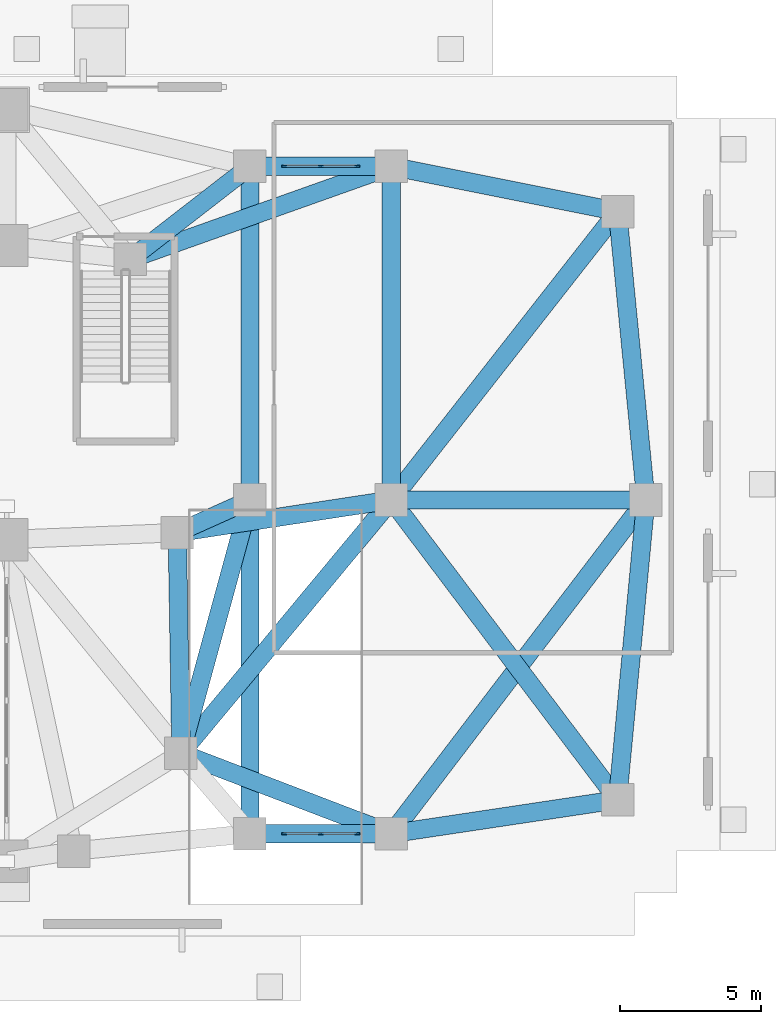
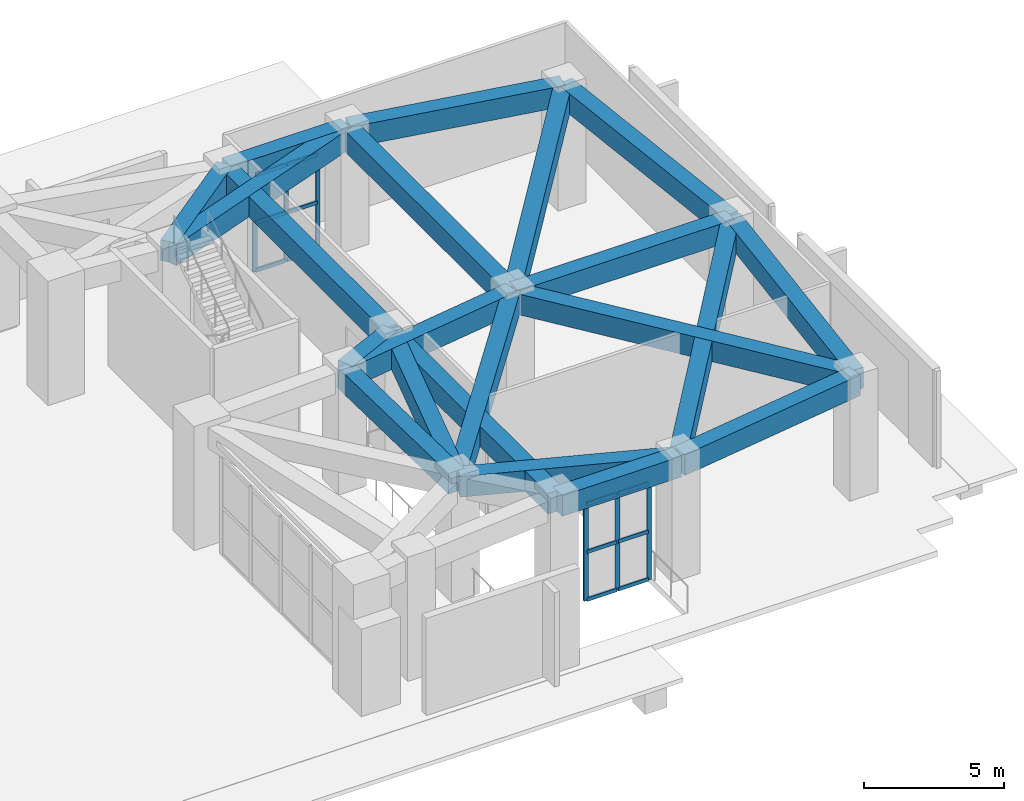
# One storey, part 4 of 19: 21 beams, 18 members, 2 elements without a shape of their own.
"""IFC4 building model written with IfcOpenShell, lengths in metres."""

from ifc_helpers import new_model, si_unit, direction, frame, origin, origin_2d, place, context, subcontext, project, spatial, rectangle, extrude, material, material_profile, profile_set, type_object, element, aggregate, save


model = new_model("IFC4")

# Units and contexts
model_context = context("Model", 3, precision=1e-05, world=origin(), true_north=direction((0.0, 1.0)))
body_context = subcontext(model_context, "Body", "Model", "MODEL_VIEW")
ifc_project = project(units=[si_unit("LENGTHUNIT", "METRE"), si_unit("AREAUNIT", "SQUARE_METRE"), si_unit("VOLUMEUNIT", "CUBIC_METRE"), si_unit("PLANEANGLEUNIT", "RADIAN"), si_unit("MASSUNIT", "GRAM", prefix="KILO")], contexts=[model_context])

# Site, building, storey
site_placement = place(None, origin())
site = spatial("IfcSite", under=ifc_project, at=site_placement, CompositionType="ELEMENT")
building_placement = place(site_placement, origin())
building = spatial("IfcBuilding", under=site, at=building_placement, Name="Gaonmaruhae Medical Tower", CompositionType="ELEMENT")
storey_placement = place(building_placement, origin())
storey = spatial("IfcBuildingStorey", under=building, at=storey_placement, Name="L00", CompositionType="ELEMENT", Elevation=0.0)

# Curtain wall, members
ifc_material_1 = material(Name="Anodised aluminium and Low-E double glazing", Category="aluminium")
curtain_wall_type = type_object("IfcCurtainWallType", Name="CW-S6 Podium Diagnostic Atrium Curtain Wall", PredefinedType="NOTDEFINED", material=ifc_material_1)
curtain_wall_1_placement = place(storey_placement, origin())
curtain_wall_1 = element("IfcCurtainWall", 1, at=curtain_wall_1_placement, inside=storey, type_object=curtain_wall_type, Name="L00 Curtain Wall CW-L00-S6A", PredefinedType="NOTDEFINED")
ifc_material_2 = material(Name="Anodised aluminium 6063-T6", Category="aluminium")
ifc_material_profile_1 = material_profile(ifc_material_2, rectangle(XDim=0.06494140625, YDim=0.179931640625, at=origin_2d()), Name="CWM-65x180")
ifc_profile_set_1 = profile_set([ifc_material_profile_1], Name="Anodised aluminium 6063-T6")
member_type_1 = type_object("IfcMemberType", Name="CWM-2 Tower Feature Curtain Wall Mullion (CWM-65x180)", PredefinedType="MULLION", material=ifc_profile_set_1)
member_1_placement = place(storey_placement, frame((67.40576171875, 27.199951171875, 0.0), z_axis=(0.0, 0.0, 1.0), x_axis=(0.0, 1.0, 0.0)))
member_1 = element("IfcMember", 2, at=member_1_placement, type_object=member_type_1, Name="CW-S6 mullion 1", PredefinedType="MULLION", context=body_context, shape_type="SweptSolid", body=[
    extrude(rectangle(XDim=0.06494140625, YDim=0.179931640625, at=origin_2d()), origin(), (0.0, 0.0, 1.0), 4.22998046875),
])
member_2_placement = place(storey_placement, frame((68.699951171875, 27.199951171875, 0.0), z_axis=(0.0, 0.0, 1.0), x_axis=(0.0, 1.0, 0.0)))
member_2 = element("IfcMember", 3, at=member_2_placement, type_object=member_type_1, Name="CW-S6 mullion 2", PredefinedType="MULLION", context=body_context, shape_type="SweptSolid", body=[
    extrude(rectangle(XDim=0.06494140625, YDim=0.179931640625, at=origin_2d()), origin(), (0.0, 0.0, 1.0), 4.22998046875),
])
member_3_placement = place(storey_placement, frame((69.994384765625, 27.199951171875, 0.0), z_axis=(0.0, 0.0, 1.0), x_axis=(0.0, 1.0, 0.0)))
member_3 = element("IfcMember", 4, at=member_3_placement, type_object=member_type_1, Name="CW-S6 mullion 3", PredefinedType="MULLION", context=body_context, shape_type="SweptSolid", body=[
    extrude(rectangle(XDim=0.06494140625, YDim=0.179931640625, at=origin_2d()), origin(), (0.0, 0.0, 1.0), 4.22998046875),
])

curtain_wall_2_placement = place(storey_placement, origin())
curtain_wall_2 = element("IfcCurtainWall", 5, at=curtain_wall_2_placement, inside=storey, type_object=curtain_wall_type, Name="L00 Curtain Wall CW-L00-S6B", PredefinedType="NOTDEFINED")
member_4_placement = place(storey_placement, frame((67.40576171875, 3.60009765625, 0.0), z_axis=(0.0, 0.0, 1.0), x_axis=(0.0, 1.0, 0.0)))
member_4 = element("IfcMember", 6, at=member_4_placement, type_object=member_type_1, Name="CW-S6 mullion 1", PredefinedType="MULLION", context=body_context, shape_type="SweptSolid", body=[
    extrude(rectangle(XDim=0.06494140625, YDim=0.179931640625, at=origin_2d()), origin(), (0.0, 0.0, 1.0), 4.22998046875),
])
member_5_placement = place(storey_placement, frame((68.699951171875, 3.60009765625, 0.0), z_axis=(0.0, 0.0, 1.0), x_axis=(0.0, 1.0, 0.0)))
member_5 = element("IfcMember", 7, at=member_5_placement, type_object=member_type_1, Name="CW-S6 mullion 2", PredefinedType="MULLION", context=body_context, shape_type="SweptSolid", body=[
    extrude(rectangle(XDim=0.06494140625, YDim=0.179931640625, at=origin_2d()), origin(), (0.0, 0.0, 1.0), 4.22998046875),
])
member_6_placement = place(storey_placement, frame((69.994384765625, 3.60009765625, 0.0), z_axis=(0.0, 0.0, 1.0), x_axis=(0.0, 1.0, 0.0)))
member_6 = element("IfcMember", 8, at=member_6_placement, type_object=member_type_1, Name="CW-S6 mullion 3", PredefinedType="MULLION", context=body_context, shape_type="SweptSolid", body=[
    extrude(rectangle(XDim=0.06494140625, YDim=0.179931640625, at=origin_2d()), origin(), (0.0, 0.0, 1.0), 4.22998046875),
])

# Member
ifc_material_profile_2 = material_profile(ifc_material_2, rectangle(XDim=0.074951171875, YDim=0.159912109375, at=origin_2d()), Name="CWT-75x160")
ifc_profile_set_2 = profile_set([ifc_material_profile_2], Name="Anodised aluminium 6063-T6")
member_type_2 = type_object("IfcMemberType", Name="CWT-1 Heavy Atrium Curtain Wall Transom (CWT-75x160)", PredefinedType="USERDEFINED", material=ifc_profile_set_2)
member_7_placement = place(storey_placement, frame((67.438232421875, 27.199951171875, 0.03759765625), z_axis=(1.0, 0.0, 0.0), x_axis=(0.0, 1.0, 0.0)))
member_7 = element("IfcMember", 9, at=member_7_placement, type_object=member_type_2, Name="CW-S6 transom 1.1", ObjectType="TRANSOM", PredefinedType="USERDEFINED", context=body_context, shape_type="SweptSolid", body=[
    extrude(rectangle(XDim=0.074951171875, YDim=0.159912109375, at=origin_2d()), origin(), (0.0, 0.0, 1.0), 1.229248046875),
])

member_8_placement = place(storey_placement, frame((67.438232421875, 27.199951171875, 2.114990234375), z_axis=(1.0, 0.0, 0.0), x_axis=(0.0, 1.0, 0.0)))
member_8 = element("IfcMember", 10, at=member_8_placement, type_object=member_type_2, Name="CW-S6 transom 1.2", ObjectType="TRANSOM", PredefinedType="USERDEFINED", context=body_context, shape_type="SweptSolid", body=[
    extrude(rectangle(XDim=0.074951171875, YDim=0.159912109375, at=origin_2d()), origin(), (0.0, 0.0, 1.0), 1.229248046875),
])

member_9_placement = place(storey_placement, frame((67.438232421875, 27.199951171875, 4.1923828125), z_axis=(1.0, 0.0, 0.0), x_axis=(0.0, 1.0, 0.0)))
member_9 = element("IfcMember", 11, at=member_9_placement, type_object=member_type_2, Name="CW-S6 transom 1.3", ObjectType="TRANSOM", PredefinedType="USERDEFINED", context=body_context, shape_type="SweptSolid", body=[
    extrude(rectangle(XDim=0.074951171875, YDim=0.159912109375, at=origin_2d()), origin(), (0.0, 0.0, 1.0), 1.229248046875),
])

member_10_placement = place(storey_placement, frame((68.732421875, 27.199951171875, 0.03759765625), z_axis=(1.0, 0.0, 0.0), x_axis=(0.0, 1.0, 0.0)))
member_10 = element("IfcMember", 12, at=member_10_placement, type_object=member_type_2, Name="CW-S6 transom 2.1", ObjectType="TRANSOM", PredefinedType="USERDEFINED", context=body_context, shape_type="SweptSolid", body=[
    extrude(rectangle(XDim=0.074951171875, YDim=0.159912109375, at=origin_2d()), origin(), (0.0, 0.0, 1.0), 1.2294921875),
])

member_11_placement = place(storey_placement, frame((68.732421875, 27.199951171875, 2.114990234375), z_axis=(1.0, 0.0, 0.0), x_axis=(0.0, 1.0, 0.0)))
member_11 = element("IfcMember", 13, at=member_11_placement, type_object=member_type_2, Name="CW-S6 transom 2.2", ObjectType="TRANSOM", PredefinedType="USERDEFINED", context=body_context, shape_type="SweptSolid", body=[
    extrude(rectangle(XDim=0.074951171875, YDim=0.159912109375, at=origin_2d()), origin(), (0.0, 0.0, 1.0), 1.2294921875),
])

member_12_placement = place(storey_placement, frame((68.732421875, 27.199951171875, 4.1923828125), z_axis=(1.0, 0.0, 0.0), x_axis=(0.0, 1.0, 0.0)))
member_12 = element("IfcMember", 14, at=member_12_placement, type_object=member_type_2, Name="CW-S6 transom 2.3", ObjectType="TRANSOM", PredefinedType="USERDEFINED", context=body_context, shape_type="SweptSolid", body=[
    extrude(rectangle(XDim=0.074951171875, YDim=0.159912109375, at=origin_2d()), origin(), (0.0, 0.0, 1.0), 1.2294921875),
])

aggregate(curtain_wall_1, [member_1, member_2, member_3, member_7, member_8, member_9, member_10, member_11, member_12])

member_13_placement = place(storey_placement, frame((67.438232421875, 3.60009765625, 0.03759765625), z_axis=(1.0, 0.0, 0.0), x_axis=(0.0, 1.0, 0.0)))
member_13 = element("IfcMember", 15, at=member_13_placement, type_object=member_type_2, Name="CW-S6 transom 1.1", ObjectType="TRANSOM", PredefinedType="USERDEFINED", context=body_context, shape_type="SweptSolid", body=[
    extrude(rectangle(XDim=0.074951171875, YDim=0.159912109375, at=origin_2d()), origin(), (0.0, 0.0, 1.0), 1.229248046875),
])

member_14_placement = place(storey_placement, frame((67.438232421875, 3.60009765625, 2.114990234375), z_axis=(1.0, 0.0, 0.0), x_axis=(0.0, 1.0, 0.0)))
member_14 = element("IfcMember", 16, at=member_14_placement, type_object=member_type_2, Name="CW-S6 transom 1.2", ObjectType="TRANSOM", PredefinedType="USERDEFINED", context=body_context, shape_type="SweptSolid", body=[
    extrude(rectangle(XDim=0.074951171875, YDim=0.159912109375, at=origin_2d()), origin(), (0.0, 0.0, 1.0), 1.229248046875),
])

member_15_placement = place(storey_placement, frame((67.438232421875, 3.60009765625, 4.1923828125), z_axis=(1.0, 0.0, 0.0), x_axis=(0.0, 1.0, 0.0)))
member_15 = element("IfcMember", 17, at=member_15_placement, type_object=member_type_2, Name="CW-S6 transom 1.3", ObjectType="TRANSOM", PredefinedType="USERDEFINED", context=body_context, shape_type="SweptSolid", body=[
    extrude(rectangle(XDim=0.074951171875, YDim=0.159912109375, at=origin_2d()), origin(), (0.0, 0.0, 1.0), 1.229248046875),
])

member_16_placement = place(storey_placement, frame((68.732421875, 3.60009765625, 0.03759765625), z_axis=(1.0, 0.0, 0.0), x_axis=(0.0, 1.0, 0.0)))
member_16 = element("IfcMember", 18, at=member_16_placement, type_object=member_type_2, Name="CW-S6 transom 2.1", ObjectType="TRANSOM", PredefinedType="USERDEFINED", context=body_context, shape_type="SweptSolid", body=[
    extrude(rectangle(XDim=0.074951171875, YDim=0.159912109375, at=origin_2d()), origin(), (0.0, 0.0, 1.0), 1.2294921875),
])

member_17_placement = place(storey_placement, frame((68.732421875, 3.60009765625, 2.114990234375), z_axis=(1.0, 0.0, 0.0), x_axis=(0.0, 1.0, 0.0)))
member_17 = element("IfcMember", 19, at=member_17_placement, type_object=member_type_2, Name="CW-S6 transom 2.2", ObjectType="TRANSOM", PredefinedType="USERDEFINED", context=body_context, shape_type="SweptSolid", body=[
    extrude(rectangle(XDim=0.074951171875, YDim=0.159912109375, at=origin_2d()), origin(), (0.0, 0.0, 1.0), 1.2294921875),
])

member_18_placement = place(storey_placement, frame((68.732421875, 3.60009765625, 4.1923828125), z_axis=(1.0, 0.0, 0.0), x_axis=(0.0, 1.0, 0.0)))
member_18 = element("IfcMember", 20, at=member_18_placement, type_object=member_type_2, Name="CW-S6 transom 2.3", ObjectType="TRANSOM", PredefinedType="USERDEFINED", context=body_context, shape_type="SweptSolid", body=[
    extrude(rectangle(XDim=0.074951171875, YDim=0.159912109375, at=origin_2d()), origin(), (0.0, 0.0, 1.0), 1.2294921875),
])

aggregate(curtain_wall_2, [member_4, member_5, member_6, member_13, member_14, member_15, member_16, member_17, member_18])

# Beams
ifc_material_3 = material(Name="Concrete C50/60", Category="concrete")
ifc_material_profile_3 = material_profile(ifc_material_3, rectangle(XDim=0.64990234375, YDim=0.89990234375, at=origin_2d()), Name="RCG-650x900")
ifc_profile_set_3 = profile_set([ifc_material_profile_3], Name="Concrete C50/60")
beam_type = type_object("IfcBeamType", Name="RG-01 Podium Primary RC Girder (RCG-650x900)", PredefinedType="BEAM", material=ifc_profile_set_3)
beam_1_placement = place(storey_placement, frame((63.757568359375, 6.49755859375, 4.699951171875), z_axis=(-0.016582992443, 0.999862492727, 0.0), x_axis=(-0.999862492727, -0.016582992443, 0.0)))
element("IfcBeam", 21, at=beam_1_placement, inside=storey, type_object=beam_type, Name="L00 Beam BM-L00-PG026", PredefinedType="BEAM", context=body_context, shape_type="SweptSolid", body=[
    extrude(rectangle(XDim=0.64990234375, YDim=0.89990234375, at=origin_2d()), origin(), (0.0, 0.0, 1.0), 7.69970703125),
])
beam_2_placement = place(storey_placement, frame((63.6748046875, 14.266845703125, 4.699951171875), z_axis=(0.912331175538, 0.409453081735, 0.0), x_axis=(-0.409453081735, 0.912331175538, 0.0)))
element("IfcBeam", 22, at=beam_2_placement, inside=storey, type_object=beam_type, Name="L00 Beam BM-L00-PG027", PredefinedType="BEAM", context=body_context, shape_type="SweptSolid", body=[
    extrude(rectangle(XDim=0.64990234375, YDim=0.89990234375, at=origin_2d()), origin(), (0.0, 0.0, 1.0), 2.7177734375),
])
beam_3_placement = place(storey_placement, frame((63.678466796875, 14.25390625, 4.699951171875), z_axis=(0.988587276062, 0.150649253596, 0.0), x_axis=(-0.150649253596, 0.988587276062, 0.0)))
element("IfcBeam", 23, at=beam_3_placement, inside=storey, type_object=beam_type, Name="L00 Beam BM-L00-PG028", PredefinedType="BEAM", context=body_context, shape_type="SweptSolid", body=[
    extrude(rectangle(XDim=0.64990234375, YDim=0.89990234375, at=origin_2d()), origin(), (0.0, 0.0, 1.0), 7.558349609375),
])
beam_4_placement = place(storey_placement, frame((62.008056640625, 23.950927734375, 4.699951171875), z_axis=(0.790374549581, 0.612623923279, 0.0), x_axis=(-0.612623923279, 0.790374549581, 0.0)))
element("IfcBeam", 24, at=beam_4_placement, inside=storey, type_object=beam_type, Name="L00 Beam BM-L00-PG029", PredefinedType="BEAM", context=body_context, shape_type="SweptSolid", body=[
    extrude(rectangle(XDim=0.64990234375, YDim=0.89990234375, at=origin_2d()), origin(), (0.0, 0.0, 1.0), 5.253662109375),
])
beam_5_placement = place(storey_placement, frame((62.015625, 23.93701171875, 4.699951171875), z_axis=(0.942294313395, 0.334785643275, 0.0), x_axis=(-0.334785643275, 0.942294313395, 0.0)))
element("IfcBeam", 25, at=beam_5_placement, inside=storey, type_object=beam_type, Name="L00 Beam BM-L00-PG030", PredefinedType="BEAM", context=body_context, shape_type="SweptSolid", body=[
    extrude(rectangle(XDim=0.64990234375, YDim=0.89990234375, at=origin_2d()), origin(), (0.0, 0.0, 1.0), 9.69677734375),
])
beam_6_placement = place(storey_placement, frame((66.25, 3.60009765625, 4.699951171875), z_axis=(1.0, 0.0, 0.0), x_axis=(0.0, 1.0, 0.0)))
element("IfcBeam", 26, at=beam_6_placement, inside=storey, type_object=beam_type, Name="L00 Beam BM-L00-PG058", PredefinedType="BEAM", context=body_context, shape_type="SweptSolid", body=[
    extrude(rectangle(XDim=0.64990234375, YDim=0.89990234375, at=origin_2d()), origin(), (0.0, 0.0, 1.0), 4.89990234375),
])
beam_7_placement = place(storey_placement, frame((66.199951171875, 3.64990234375, 4.699951171875), z_axis=(0.0, 1.0, 0.0), x_axis=(-1.0, 0.0, 0.0)))
element("IfcBeam", 27, at=beam_7_placement, inside=storey, type_object=beam_type, Name="L00 Beam BM-L00-PG059", PredefinedType="BEAM", context=body_context, shape_type="SweptSolid", body=[
    extrude(rectangle(XDim=0.64990234375, YDim=0.89990234375, at=origin_2d()), origin(), (0.0, 0.0, 1.0), 11.7001953125),
])
beam_8_placement = place(storey_placement, frame((71.1533203125, 3.617919921875, 4.699951171875), z_axis=(-0.933959250305, 0.357379516438, 0.0), x_axis=(-0.357379516438, -0.933959250305, 0.0)))
element("IfcBeam", 28, at=beam_8_placement, inside=storey, type_object=beam_type, Name="L00 Beam BM-L00-PG060", PredefinedType="BEAM", context=body_context, shape_type="SweptSolid", body=[
    extrude(rectangle(XDim=0.64990234375, YDim=0.89990234375, at=origin_2d()), origin(), (0.0, 0.0, 1.0), 7.86767578125),
])
beam_9_placement = place(storey_placement, frame((71.24951171875, 3.607421875, 4.699951171875), z_axis=(0.988938370032, 0.148327004546, 0.0), x_axis=(-0.148327004546, 0.988938370032, 0.0)))
element("IfcBeam", 29, at=beam_9_placement, inside=storey, type_object=beam_type, Name="L00 Beam BM-L00-PG061", PredefinedType="BEAM", context=body_context, shape_type="SweptSolid", body=[
    extrude(rectangle(XDim=0.64990234375, YDim=0.89990234375, at=origin_2d()), origin(), (0.0, 0.0, 1.0), 7.989501953125),
])
beam_10_placement = place(storey_placement, frame((66.186767578125, 15.351806640625, 4.699951171875), z_axis=(-0.263119656269, -0.964763207469, 0.0), x_axis=(0.964763207469, -0.263119656269, 0.0)))
element("IfcBeam", 30, at=beam_10_placement, inside=storey, type_object=beam_type, Name="L00 Beam BM-L00-PG062", PredefinedType="BEAM", context=body_context, shape_type="SweptSolid", body=[
    extrude(rectangle(XDim=0.64990234375, YDim=0.89990234375, at=origin_2d()), origin(), (0.0, 0.0, 1.0), 9.179443359375),
])
beam_11_placement = place(storey_placement, frame((66.199951171875, 15.449951171875, 4.699951171875), z_axis=(0.0, 1.0, 0.0), x_axis=(-1.0, 0.0, 0.0)))
element("IfcBeam", 31, at=beam_11_placement, inside=storey, type_object=beam_type, Name="L00 Beam BM-L00-PG063", PredefinedType="BEAM", context=body_context, shape_type="SweptSolid", body=[
    extrude(rectangle(XDim=0.64990234375, YDim=0.89990234375, at=origin_2d()), origin(), (0.0, 0.0, 1.0), 11.699951171875),
])
beam_12_placement = place(storey_placement, frame((71.25, 15.39990234375, 4.699951171875), z_axis=(1.0, 0.0, 0.0), x_axis=(0.0, 1.0, 0.0)))
element("IfcBeam", 32, at=beam_12_placement, inside=storey, type_object=beam_type, Name="L00 Beam BM-L00-PG064", PredefinedType="BEAM", context=body_context, shape_type="SweptSolid", body=[
    extrude(rectangle(XDim=0.64990234375, YDim=0.89990234375, at=origin_2d()), origin(), (0.0, 0.0, 1.0), 8.89990234375),
])
beam_13_placement = place(storey_placement, frame((71.16796875, 15.361572265625, 4.699951171875), z_axis=(-0.639224730156, -0.76901998957, 0.0), x_axis=(0.76901998957, -0.639224730156, 0.0)))
element("IfcBeam", 33, at=beam_13_placement, inside=storey, type_object=beam_type, Name="L00 Beam BM-L00-PG065", PredefinedType="BEAM", context=body_context, shape_type="SweptSolid", body=[
    extrude(rectangle(XDim=0.64990234375, YDim=0.89990234375, at=origin_2d()), origin(), (0.0, 0.0, 1.0), 11.54150390625),
])
beam_14_placement = place(storey_placement, frame((66.25, 27.199951171875, 4.699951171875), z_axis=(1.0, 0.0, 0.0), x_axis=(0.0, 1.0, 0.0)))
element("IfcBeam", 34, at=beam_14_placement, inside=storey, type_object=beam_type, Name="L00 Beam BM-L00-PG066", PredefinedType="BEAM", context=body_context, shape_type="SweptSolid", body=[
    extrude(rectangle(XDim=0.64990234375, YDim=0.89990234375, at=origin_2d()), origin(), (0.0, 0.0, 1.0), 4.89990234375),
])
beam_15_placement = place(storey_placement, frame((71.2490234375, 27.190185546875, 4.699951171875), z_axis=(0.98058184093, -0.196110308853, 0.0), x_axis=(0.196110308853, 0.98058184093, 0.0)))
element("IfcBeam", 35, at=beam_15_placement, inside=storey, type_object=beam_type, Name="L00 Beam BM-L00-PG068", PredefinedType="BEAM", context=body_context, shape_type="SweptSolid", body=[
    extrude(rectangle(XDim=0.64990234375, YDim=0.89990234375, at=origin_2d()), origin(), (0.0, 0.0, 1.0), 8.058349609375),
])
beam_16_placement = place(storey_placement, frame((71.199951171875, 27.14990234375, 4.699951171875), z_axis=(0.0, -1.0, 0.0), x_axis=(1.0, 0.0, 0.0)))
element("IfcBeam", 36, at=beam_16_placement, inside=storey, type_object=beam_type, Name="L00 Beam BM-L00-PG069", PredefinedType="BEAM", context=body_context, shape_type="SweptSolid", body=[
    extrude(rectangle(XDim=0.64990234375, YDim=0.89990234375, at=origin_2d()), origin(), (0.0, 0.0, 1.0), 11.699951171875),
])
beam_17_placement = place(storey_placement, frame((79.20458984375, 4.849853515625, 4.699951171875), z_axis=(0.093932984059, 0.995578522521, 0.0), x_axis=(-0.995578522521, 0.093932984059, 0.0)))
element("IfcBeam", 37, at=beam_17_placement, inside=storey, type_object=beam_type, Name="L00 Beam BM-L00-PG070", PredefinedType="BEAM", context=body_context, shape_type="SweptSolid", body=[
    extrude(rectangle(XDim=0.64990234375, YDim=0.89990234375, at=origin_2d()), origin(), (0.0, 0.0, 1.0), 10.547119140625),
])
beam_18_placement = place(storey_placement, frame((79.169921875, 4.83984375, 4.699951171875), z_axis=(-0.602400893863, 0.798193687693, 0.0), x_axis=(-0.798193687693, -0.602400893863, 0.0)))
element("IfcBeam", 38, at=beam_18_placement, inside=storey, type_object=beam_type, Name="L00 Beam BM-L00-PG071", PredefinedType="BEAM", context=body_context, shape_type="SweptSolid", body=[
    extrude(rectangle(XDim=0.64990234375, YDim=0.89990234375, at=origin_2d()), origin(), (0.0, 0.0, 1.0), 13.18017578125),
])
beam_19_placement = place(storey_placement, frame((80.195068359375, 15.44970703125, 4.699951171875), z_axis=(-0.097569555279, 0.995228708329, 0.0), x_axis=(-0.995228708329, -0.097569555279, 0.0)))
element("IfcBeam", 39, at=beam_19_placement, inside=storey, type_object=beam_type, Name="L00 Beam BM-L00-PG072", PredefinedType="BEAM", context=body_context, shape_type="SweptSolid", body=[
    extrude(rectangle(XDim=0.64990234375, YDim=0.89990234375, at=origin_2d()), origin(), (0.0, 0.0, 1.0), 10.14892578125),
])
beam_20_placement = place(storey_placement, frame((80.169677734375, 15.3603515625, 4.699951171875), z_axis=(-0.606446336319, -0.79512441867, 0.0), x_axis=(0.79512441867, -0.606446336319, 0.0)))
element("IfcBeam", 40, at=beam_20_placement, inside=storey, type_object=beam_type, Name="L00 Beam BM-L00-PG073", PredefinedType="BEAM", context=body_context, shape_type="SweptSolid", body=[
    extrude(rectangle(XDim=0.64990234375, YDim=0.89990234375, at=origin_2d()), origin(), (0.0, 0.0, 1.0), 14.74072265625),
])
beam_21_placement = place(storey_placement, frame((79.169189453125, 25.560546875, 4.699951171875), z_axis=(-0.617145695681, -0.786848899282, 0.0), x_axis=(0.786848899282, -0.617145695681, 0.0)))
element("IfcBeam", 41, at=beam_21_placement, inside=storey, type_object=beam_type, Name="L00 Beam BM-L00-PG074", PredefinedType="BEAM", context=body_context, shape_type="SweptSolid", body=[
    extrude(rectangle(XDim=0.64990234375, YDim=0.89990234375, at=origin_2d()), origin(), (0.0, 0.0, 1.0), 12.86279296875),
])

save(model, "model.ifc")
